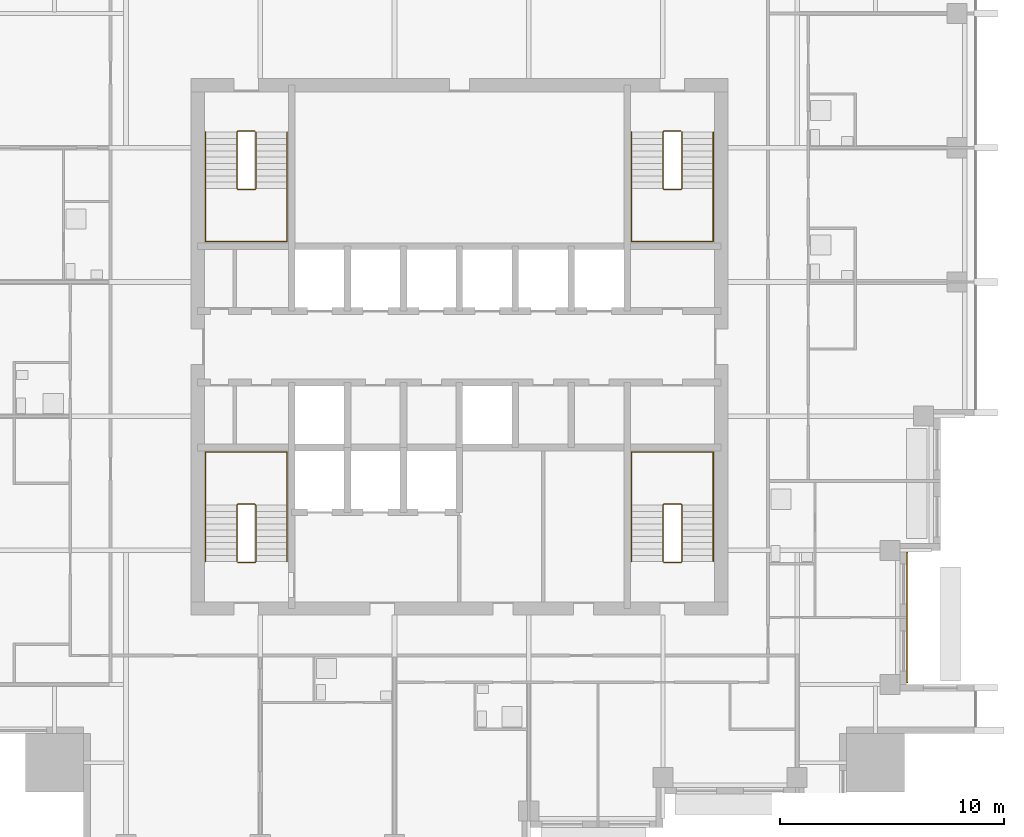
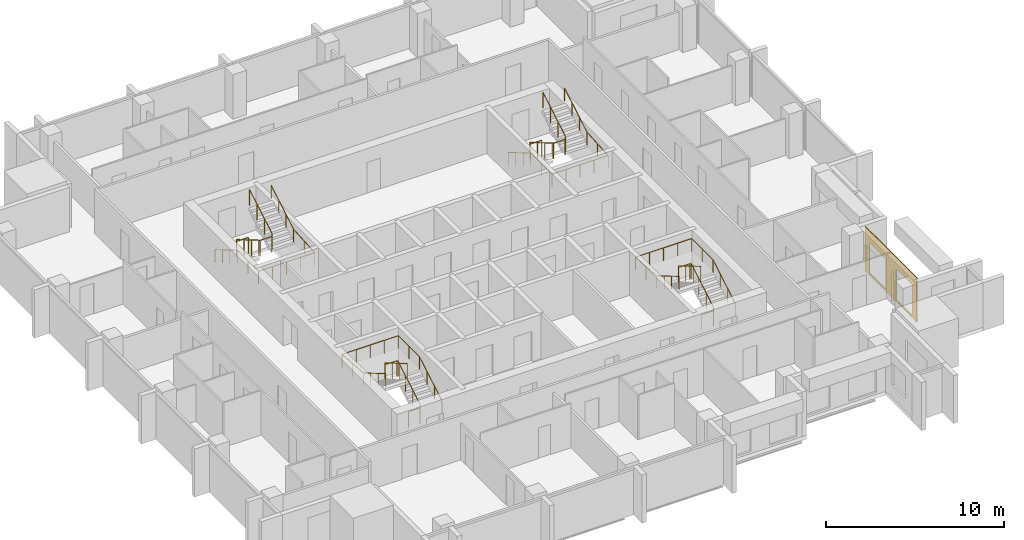
# One storey, part 9 of 10: 8 railings, 1 covering.
"""IFC4 building model written with IfcOpenShell, lengths in metres."""

from ifc_helpers import new_model, si_unit, direction, frame, origin, origin_2d, place, context, subcontext, project, spatial, polyline, circle, outline, extrude, material, layer, layer_set, type_object, element, save


model = new_model("IFC4")

# Units and contexts
model_context = context("Model", 3, precision=1e-05, world=origin(), true_north=direction((0.0, 1.0)))
body_context = subcontext(model_context, "Body", "Model", "MODEL_VIEW")
ifc_project = project(units=[si_unit("LENGTHUNIT", "METRE"), si_unit("AREAUNIT", "SQUARE_METRE"), si_unit("VOLUMEUNIT", "CUBIC_METRE"), si_unit("PLANEANGLEUNIT", "RADIAN"), si_unit("MASSUNIT", "GRAM", prefix="KILO")], contexts=[model_context])

# Site, building, storey
site_placement = place(None, origin())
site = spatial("IfcSite", under=ifc_project, at=site_placement, CompositionType="ELEMENT")
building_placement = place(site_placement, origin())
building = spatial("IfcBuilding", under=site, at=building_placement, Name="Amberfall Residences", CompositionType="ELEMENT")
storey_placement = place(building_placement, frame((0.0, 0.0, 193.60009765625)))
storey = spatial("IfcBuildingStorey", under=building, at=storey_placement, Name="L51", CompositionType="ELEMENT", Elevation=193.60009765625)

# Covering
ifc_material_1 = material(Name="Pale limestone cladding", Category="masonry")
ifc_layer = layer(ifc_material_1, 0.050048828125)
ifc_layer_set = layer_set([ifc_layer], Name="Limestone fascia 50")
covering_type = type_object("IfcCoveringType", Name="Limestone fascia 50", PredefinedType="CLADDING", material=ifc_layer_set)
covering_placement = place(storey_placement, frame((94.5, 30.489990234375, 3.0498046875), z_axis=(-1.0, 0.0, 0.0), x_axis=(0.0, 1.0, 0.0)))
element("IfcCovering", 1, at=covering_placement, inside=storey, type_object=covering_type, Name="Pale limestone cladding L51 E", PredefinedType="CLADDING", context=body_context, shape_type="SweptSolid", body=[
    extrude(outline(polyline([(0.0, 0.0), (5.820068359375, 0.0), (5.820068359375, 3.0498046875), (0.0, 3.0498046875), (0.0, 0.0)]), holes=[polyline([(0.510009765625, 0.7998046875), (2.31005859375, 0.7998046875), (2.31005859375, 2.89990234375), (0.510009765625, 2.89990234375), (0.510009765625, 0.7998046875)]), polyline([(3.510009765625, 0.7998046875), (5.31005859375, 0.7998046875), (5.31005859375, 2.89990234375), (3.510009765625, 2.89990234375), (3.510009765625, 0.7998046875)])]), origin(), (0.0, 0.0, -1.0), 0.050048828125),
])

# Railings
ifc_material_2 = material(Name="Stainless steel 316", Category="steel")
railing_type_1 = type_object("IfcRailingType", Name="Stair guard 1100", PredefinedType="GUARDRAIL", material=ifc_material_2)
railing_1_placement = place(storey_placement, frame((64.60009765625, 35.85009765625, 0.0)))
element("IfcRailing", 2, at=railing_1_placement, inside=storey, type_object=railing_type_1, Name="L51 stair 1 guard", PredefinedType="GUARDRAIL", context=body_context, shape_type="SweptSolid", body=[
    extrude(circle(Radius=0.02392578125, at=origin_2d()), frame((0.0, 0.0, 1.076171875), z_axis=(1.0, 0.0, 0.0), x_axis=(0.0, 1.0, 0.0)), (0.0, 0.0, 1.0), 0.75),
    extrude(circle(Radius=0.02392578125, at=origin_2d()), frame((0.75, 0.0, 1.076171875), z_axis=(0.277903107438, 0.277903107438, 0.919532340787), x_axis=(-0.707106781187, 0.707106781187, 0.0)), (0.0, 0.0, 1.0), 0.17919921875),
    extrude(circle(Radius=0.02392578125, at=origin_2d()), frame((0.7998046875, 0.0498046875, 1.24072265625), z_axis=(0.0, 0.86152411907, 0.507716645641), x_axis=(-1.0, 0.0, 0.0)), (0.0, 0.0, 1.0), 2.925048828125),
    extrude(circle(Radius=0.02392578125, at=origin_2d()), frame((0.7998046875, 2.56982421875, 2.72607421875), z_axis=(-0.705375805398, 0.708833529934, 0.0), x_axis=(-0.708833529934, -0.705375805398, 0.0)), (0.0, 0.0, 1.0), 0.070556640625),
    extrude(circle(Radius=0.02392578125, at=origin_2d()), frame((0.75, 2.619873046875, 2.72607421875), z_axis=(-1.0, 0.0, 0.0), x_axis=(0.0, -1.0, 0.0)), (0.0, 0.0, 1.0), 0.75),
    extrude(circle(Radius=0.02392578125, at=origin_2d()), frame((0.0, 2.619873046875, 2.72607421875), z_axis=(-0.278705021027, -0.278705021027, 0.919046801044), x_axis=(0.707106781187, -0.707106781187, 0.0)), (0.0, 0.0, 1.0), 0.1796875),
    extrude(circle(Radius=0.02392578125, at=origin_2d()), frame((-0.050048828125, 2.56982421875, 2.89111328125), z_axis=(0.0, -0.861560626758, 0.507654692109), x_axis=(1.0, 0.0, 0.0)), (0.0, 0.0, 1.0), 2.925048828125),
    extrude(circle(Radius=0.02099609375, at=origin_2d()), origin(), (0.0, 0.0, 1.0), 1.052001953125),
    extrude(circle(Radius=0.02099609375, at=origin_2d()), frame((0.75, 0.0, 0.0)), (0.0, 0.0, 1.0), 1.052001953125),
    extrude(circle(Radius=0.02099609375, at=origin_2d()), frame((0.7998046875, 0.0498046875, 0.164794921875)), (0.0, 0.0, 1.0), 1.052001953125),
    extrude(circle(Radius=0.02099609375, at=origin_2d()), frame((0.7998046875, 0.889892578125, 0.659912109375)), (0.0, 0.0, 1.0), 1.052001953125),
    extrude(circle(Radius=0.02099609375, at=origin_2d()), frame((0.7998046875, 1.729736328125, 1.15478515625)), (0.0, 0.0, 1.0), 1.052001953125),
    extrude(circle(Radius=0.02099609375, at=origin_2d()), frame((0.7998046875, 2.56982421875, 1.64990234375)), (0.0, 0.0, 1.0), 1.052001953125),
    extrude(circle(Radius=0.02099609375, at=origin_2d()), frame((0.75, 2.619873046875, 1.64990234375)), (0.0, 0.0, 1.0), 1.052001953125),
    extrude(circle(Radius=0.02099609375, at=origin_2d()), frame((0.0, 2.619873046875, 1.64990234375)), (0.0, 0.0, 1.0), 1.052001953125),
    extrude(circle(Radius=0.02099609375, at=origin_2d()), frame((-0.050048828125, 2.56982421875, 1.81494140625)), (0.0, 0.0, 1.0), 1.052001953125),
    extrude(circle(Radius=0.02099609375, at=origin_2d()), frame((-0.050048828125, 1.729736328125, 2.309814453125)), (0.0, 0.0, 1.0), 1.052001953125),
    extrude(circle(Radius=0.02099609375, at=origin_2d()), frame((-0.050048828125, 0.889892578125, 2.804931640625)), (0.0, 0.0, 1.0), 1.052001953125),
    extrude(circle(Radius=0.02099609375, at=origin_2d()), frame((-0.050048828125, 0.0498046875, 3.2998046875)), (0.0, 0.0, 1.0), 1.052001953125),
])
railing_2_placement = place(storey_placement, frame((83.64990234375, 35.85009765625, 0.0)))
element("IfcRailing", 3, at=railing_2_placement, inside=storey, type_object=railing_type_1, Name="L51 stair 2 guard", PredefinedType="GUARDRAIL", context=body_context, shape_type="SweptSolid", body=[
    extrude(circle(Radius=0.02392578125, at=origin_2d()), frame((0.0, 0.0, 1.076171875), z_axis=(1.0, 0.0, 0.0), x_axis=(0.0, 1.0, 0.0)), (0.0, 0.0, 1.0), 0.75),
    extrude(circle(Radius=0.02392578125, at=origin_2d()), frame((0.75, 0.0, 1.076171875), z_axis=(0.279159454702, 0.277797701265, 0.919183570361), x_axis=(-0.705375805398, 0.708833529934, 0.0)), (0.0, 0.0, 1.0), 0.17919921875),
    extrude(circle(Radius=0.02392578125, at=origin_2d()), frame((0.800048828125, 0.0498046875, 1.24072265625), z_axis=(0.0, 0.86152411907, 0.507716645641), x_axis=(-1.0, 0.0, 0.0)), (0.0, 0.0, 1.0), 2.925048828125),
    extrude(circle(Radius=0.02392578125, at=origin_2d()), frame((0.800048828125, 2.56982421875, 2.72607421875), z_axis=(-0.707106781187, 0.707106781187, 0.0), x_axis=(-0.707106781187, -0.707106781187, 0.0)), (0.0, 0.0, 1.0), 0.07080078125),
    extrude(circle(Radius=0.02392578125, at=origin_2d()), frame((0.75, 2.619873046875, 2.72607421875), z_axis=(-1.0, 0.0, 0.0), x_axis=(0.0, -1.0, 0.0)), (0.0, 0.0, 1.0), 0.75),
    extrude(circle(Radius=0.02392578125, at=origin_2d()), frame((0.0, 2.619873046875, 2.72607421875), z_axis=(-0.277450376394, -0.278810427259, 0.919394384522), x_axis=(0.708833529934, -0.705375805398, 0.0)), (0.0, 0.0, 1.0), 0.179443359375),
    extrude(circle(Radius=0.02392578125, at=origin_2d()), frame((-0.0498046875, 2.56982421875, 2.89111328125), z_axis=(0.0, -0.861560626758, 0.507654692109), x_axis=(1.0, 0.0, 0.0)), (0.0, 0.0, 1.0), 2.925048828125),
    extrude(circle(Radius=0.02099609375, at=origin_2d()), origin(), (0.0, 0.0, 1.0), 1.052001953125),
    extrude(circle(Radius=0.02099609375, at=origin_2d()), frame((0.75, 0.0, 0.0)), (0.0, 0.0, 1.0), 1.052001953125),
    extrude(circle(Radius=0.02099609375, at=origin_2d()), frame((0.800048828125, 0.0498046875, 0.164794921875)), (0.0, 0.0, 1.0), 1.052001953125),
    extrude(circle(Radius=0.02099609375, at=origin_2d()), frame((0.800048828125, 0.889892578125, 0.659912109375)), (0.0, 0.0, 1.0), 1.052001953125),
    extrude(circle(Radius=0.02099609375, at=origin_2d()), frame((0.800048828125, 1.729736328125, 1.15478515625)), (0.0, 0.0, 1.0), 1.052001953125),
    extrude(circle(Radius=0.02099609375, at=origin_2d()), frame((0.800048828125, 2.56982421875, 1.64990234375)), (0.0, 0.0, 1.0), 1.052001953125),
    extrude(circle(Radius=0.02099609375, at=origin_2d()), frame((0.75, 2.619873046875, 1.64990234375)), (0.0, 0.0, 1.0), 1.052001953125),
    extrude(circle(Radius=0.02099609375, at=origin_2d()), frame((0.0, 2.619873046875, 1.64990234375)), (0.0, 0.0, 1.0), 1.052001953125),
    extrude(circle(Radius=0.02099609375, at=origin_2d()), frame((-0.0498046875, 2.56982421875, 1.81494140625)), (0.0, 0.0, 1.0), 1.052001953125),
    extrude(circle(Radius=0.02099609375, at=origin_2d()), frame((-0.0498046875, 1.729736328125, 2.309814453125)), (0.0, 0.0, 1.0), 1.052001953125),
    extrude(circle(Radius=0.02099609375, at=origin_2d()), frame((-0.0498046875, 0.889892578125, 2.804931640625)), (0.0, 0.0, 1.0), 1.052001953125),
    extrude(circle(Radius=0.02099609375, at=origin_2d()), frame((-0.0498046875, 0.0498046875, 3.2998046875)), (0.0, 0.0, 1.0), 1.052001953125),
])
railing_3_placement = place(storey_placement, frame((84.39990234375, 55.14990234375, 0.0)))
element("IfcRailing", 4, at=railing_3_placement, inside=storey, type_object=railing_type_1, Name="L51 stair 3 guard", PredefinedType="GUARDRAIL", context=body_context, shape_type="SweptSolid", body=[
    extrude(circle(Radius=0.02392578125, at=origin_2d()), frame((0.0, 0.0, 1.076171875), z_axis=(-1.0, 0.0, 0.0), x_axis=(0.0, -1.0, 0.0)), (0.0, 0.0, 1.0), 0.75),
    extrude(circle(Radius=0.02392578125, at=origin_2d()), frame((-0.75, 0.0, 1.076171875), z_axis=(-0.277903107438, -0.277903107438, 0.919532340787), x_axis=(0.707106781187, -0.707106781187, 0.0)), (0.0, 0.0, 1.0), 0.17919921875),
    extrude(circle(Radius=0.02392578125, at=origin_2d()), frame((-0.7998046875, -0.0498046875, 1.24072265625), z_axis=(0.0, -0.86152411907, 0.507716645641), x_axis=(1.0, 0.0, 0.0)), (0.0, 0.0, 1.0), 2.925048828125),
    extrude(circle(Radius=0.02392578125, at=origin_2d()), frame((-0.7998046875, -2.56982421875, 2.72607421875), z_axis=(0.705375805398, -0.708833529934, 0.0), x_axis=(0.708833529934, 0.705375805398, 0.0)), (0.0, 0.0, 1.0), 0.070556640625),
    extrude(circle(Radius=0.02392578125, at=origin_2d()), frame((-0.75, -2.619873046875, 2.72607421875), z_axis=(1.0, 0.0, 0.0), x_axis=(0.0, 1.0, 0.0)), (0.0, 0.0, 1.0), 0.75),
    extrude(circle(Radius=0.02392578125, at=origin_2d()), frame((0.0, -2.619873046875, 2.72607421875), z_axis=(0.278705021027, 0.278705021027, 0.919046801044), x_axis=(-0.707106781187, 0.707106781187, 0.0)), (0.0, 0.0, 1.0), 0.1796875),
    extrude(circle(Radius=0.02392578125, at=origin_2d()), frame((0.050048828125, -2.56982421875, 2.89111328125), z_axis=(0.0, 0.861560626758, 0.507654692109), x_axis=(-1.0, 0.0, 0.0)), (0.0, 0.0, 1.0), 2.925048828125),
    extrude(circle(Radius=0.02099609375, at=origin_2d()), origin(), (0.0, 0.0, 1.0), 1.052001953125),
    extrude(circle(Radius=0.02099609375, at=origin_2d()), frame((-0.75, 0.0, 0.0)), (0.0, 0.0, 1.0), 1.052001953125),
    extrude(circle(Radius=0.02099609375, at=origin_2d()), frame((-0.7998046875, -0.0498046875, 0.164794921875)), (0.0, 0.0, 1.0), 1.052001953125),
    extrude(circle(Radius=0.02099609375, at=origin_2d()), frame((-0.7998046875, -0.889892578125, 0.659912109375)), (0.0, 0.0, 1.0), 1.052001953125),
    extrude(circle(Radius=0.02099609375, at=origin_2d()), frame((-0.7998046875, -1.729736328125, 1.15478515625)), (0.0, 0.0, 1.0), 1.052001953125),
    extrude(circle(Radius=0.02099609375, at=origin_2d()), frame((-0.7998046875, -2.56982421875, 1.64990234375)), (0.0, 0.0, 1.0), 1.052001953125),
    extrude(circle(Radius=0.02099609375, at=origin_2d()), frame((-0.75, -2.619873046875, 1.64990234375)), (0.0, 0.0, 1.0), 1.052001953125),
    extrude(circle(Radius=0.02099609375, at=origin_2d()), frame((0.0, -2.619873046875, 1.64990234375)), (0.0, 0.0, 1.0), 1.052001953125),
    extrude(circle(Radius=0.02099609375, at=origin_2d()), frame((0.050048828125, -2.56982421875, 1.81494140625)), (0.0, 0.0, 1.0), 1.052001953125),
    extrude(circle(Radius=0.02099609375, at=origin_2d()), frame((0.050048828125, -1.729736328125, 2.309814453125)), (0.0, 0.0, 1.0), 1.052001953125),
    extrude(circle(Radius=0.02099609375, at=origin_2d()), frame((0.050048828125, -0.889892578125, 2.804931640625)), (0.0, 0.0, 1.0), 1.052001953125),
    extrude(circle(Radius=0.02099609375, at=origin_2d()), frame((0.050048828125, -0.0498046875, 3.2998046875)), (0.0, 0.0, 1.0), 1.052001953125),
])
railing_4_placement = place(storey_placement, frame((65.35009765625, 55.14990234375, 0.0)))
element("IfcRailing", 5, at=railing_4_placement, inside=storey, type_object=railing_type_1, Name="L51 stair 4 guard", PredefinedType="GUARDRAIL", context=body_context, shape_type="SweptSolid", body=[
    extrude(circle(Radius=0.02392578125, at=origin_2d()), frame((0.0, 0.0, 1.076171875), z_axis=(-1.0, 0.0, 0.0), x_axis=(0.0, -1.0, 0.0)), (0.0, 0.0, 1.0), 0.75),
    extrude(circle(Radius=0.02392578125, at=origin_2d()), frame((-0.75, 0.0, 1.076171875), z_axis=(-0.279159454702, -0.277797701265, 0.919183570361), x_axis=(0.705375805398, -0.708833529934, 0.0)), (0.0, 0.0, 1.0), 0.17919921875),
    extrude(circle(Radius=0.02392578125, at=origin_2d()), frame((-0.800048828125, -0.0498046875, 1.24072265625), z_axis=(0.0, -0.86152411907, 0.507716645641), x_axis=(1.0, 0.0, 0.0)), (0.0, 0.0, 1.0), 2.925048828125),
    extrude(circle(Radius=0.02392578125, at=origin_2d()), frame((-0.800048828125, -2.56982421875, 2.72607421875), z_axis=(0.707106781187, -0.707106781187, 0.0), x_axis=(0.707106781187, 0.707106781187, 0.0)), (0.0, 0.0, 1.0), 0.07080078125),
    extrude(circle(Radius=0.02392578125, at=origin_2d()), frame((-0.75, -2.619873046875, 2.72607421875), z_axis=(1.0, 0.0, 0.0), x_axis=(0.0, 1.0, 0.0)), (0.0, 0.0, 1.0), 0.75),
    extrude(circle(Radius=0.02392578125, at=origin_2d()), frame((0.0, -2.619873046875, 2.72607421875), z_axis=(0.277450376394, 0.278810427259, 0.919394384522), x_axis=(-0.708833529934, 0.705375805398, 0.0)), (0.0, 0.0, 1.0), 0.179443359375),
    extrude(circle(Radius=0.02392578125, at=origin_2d()), frame((0.0498046875, -2.56982421875, 2.89111328125), z_axis=(0.0, 0.861560626758, 0.507654692109), x_axis=(-1.0, 0.0, 0.0)), (0.0, 0.0, 1.0), 2.925048828125),
    extrude(circle(Radius=0.02099609375, at=origin_2d()), origin(), (0.0, 0.0, 1.0), 1.052001953125),
    extrude(circle(Radius=0.02099609375, at=origin_2d()), frame((-0.75, 0.0, 0.0)), (0.0, 0.0, 1.0), 1.052001953125),
    extrude(circle(Radius=0.02099609375, at=origin_2d()), frame((-0.800048828125, -0.0498046875, 0.164794921875)), (0.0, 0.0, 1.0), 1.052001953125),
    extrude(circle(Radius=0.02099609375, at=origin_2d()), frame((-0.800048828125, -0.889892578125, 0.659912109375)), (0.0, 0.0, 1.0), 1.052001953125),
    extrude(circle(Radius=0.02099609375, at=origin_2d()), frame((-0.800048828125, -1.729736328125, 1.15478515625)), (0.0, 0.0, 1.0), 1.052001953125),
    extrude(circle(Radius=0.02099609375, at=origin_2d()), frame((-0.800048828125, -2.56982421875, 1.64990234375)), (0.0, 0.0, 1.0), 1.052001953125),
    extrude(circle(Radius=0.02099609375, at=origin_2d()), frame((-0.75, -2.619873046875, 1.64990234375)), (0.0, 0.0, 1.0), 1.052001953125),
    extrude(circle(Radius=0.02099609375, at=origin_2d()), frame((0.0, -2.619873046875, 1.64990234375)), (0.0, 0.0, 1.0), 1.052001953125),
    extrude(circle(Radius=0.02099609375, at=origin_2d()), frame((0.0498046875, -2.56982421875, 1.81494140625)), (0.0, 0.0, 1.0), 1.052001953125),
    extrude(circle(Radius=0.02099609375, at=origin_2d()), frame((0.0498046875, -1.729736328125, 2.309814453125)), (0.0, 0.0, 1.0), 1.052001953125),
    extrude(circle(Radius=0.02099609375, at=origin_2d()), frame((0.0498046875, -0.889892578125, 2.804931640625)), (0.0, 0.0, 1.0), 1.052001953125),
    extrude(circle(Radius=0.02099609375, at=origin_2d()), frame((0.0498046875, -0.0498046875, 3.2998046875)), (0.0, 0.0, 1.0), 1.052001953125),
])
railing_type_2 = type_object("IfcRailingType", Name="Stair handrail 900", PredefinedType="HANDRAIL", material=ifc_material_2)
railing_5_placement = place(storey_placement, frame((66.800048828125, 35.89990234375, 0.164794921875)))
element("IfcRailing", 6, at=railing_5_placement, inside=storey, type_object=railing_type_2, Name="L51 stair 1 handrail", PredefinedType="HANDRAIL", context=body_context, shape_type="SweptSolid", body=[
    extrude(circle(Radius=0.02392578125, at=origin_2d()), frame((0.0, 0.0, 0.8759765625), z_axis=(0.0, 0.86152411907, 0.507716645641), x_axis=(-1.0, 0.0, 0.0)), (0.0, 0.0, 1.0), 2.925048828125),
    extrude(circle(Radius=0.02392578125, at=origin_2d()), frame((0.0, 2.52001953125, 2.36083984375), z_axis=(0.0, 1.0, 0.0), x_axis=(-1.0, 0.0, 0.0)), (0.0, 0.0, 1.0), 2.380126953125),
    extrude(circle(Radius=0.02392578125, at=origin_2d()), frame((0.0, 4.900146484375, 2.36083984375), z_axis=(-1.0, 0.0, 0.0), x_axis=(0.0, -1.0, 0.0)), (0.0, 0.0, 1.0), 3.650146484375),
    extrude(circle(Radius=0.02392578125, at=origin_2d()), frame((-3.650146484375, 4.900146484375, 2.36083984375), z_axis=(0.0, -0.997604585917, 0.069174346095), x_axis=(1.0, 0.0, 0.0)), (0.0, 0.0, 1.0), 2.3857421875),
    extrude(circle(Radius=0.02392578125, at=origin_2d()), frame((-3.650146484375, 2.52001953125, 2.52587890625), z_axis=(0.0, -0.861560626758, 0.507654692109), x_axis=(1.0, 0.0, 0.0)), (0.0, 0.0, 1.0), 2.925048828125),
    extrude(circle(Radius=0.02099609375, at=origin_2d()), origin(), (0.0, 0.0, 1.0), 0.851806640625),
    extrude(circle(Radius=0.02099609375, at=origin_2d()), frame((0.0, 0.840087890625, 0.4951171875)), (0.0, 0.0, 1.0), 0.851806640625),
    extrude(circle(Radius=0.02099609375, at=origin_2d()), frame((0.0, 1.679931640625, 0.989990234375)), (0.0, 0.0, 1.0), 0.851806640625),
    extrude(circle(Radius=0.02099609375, at=origin_2d()), frame((0.0, 2.52001953125, 1.485107421875)), (0.0, 0.0, 1.0), 0.851806640625),
    extrude(circle(Radius=0.02099609375, at=origin_2d()), frame((0.0, 3.7099609375, 1.485107421875)), (0.0, 0.0, 1.0), 0.851806640625),
    extrude(circle(Radius=0.02099609375, at=origin_2d()), frame((0.0, 4.900146484375, 1.485107421875)), (0.0, 0.0, 1.0), 0.851806640625),
    extrude(circle(Radius=0.02099609375, at=origin_2d()), frame((-0.91259765625, 4.900146484375, 1.485107421875)), (0.0, 0.0, 1.0), 0.851806640625),
    extrude(circle(Radius=0.02099609375, at=origin_2d()), frame((-1.8251953125, 4.900146484375, 1.485107421875)), (0.0, 0.0, 1.0), 0.851806640625),
    extrude(circle(Radius=0.02099609375, at=origin_2d()), frame((-2.737548828125, 4.900146484375, 1.485107421875)), (0.0, 0.0, 1.0), 0.851806640625),
    extrude(circle(Radius=0.02099609375, at=origin_2d()), frame((-3.650146484375, 4.900146484375, 1.485107421875)), (0.0, 0.0, 1.0), 0.851806640625),
    extrude(circle(Radius=0.02099609375, at=origin_2d()), frame((-3.650146484375, 3.7099609375, 1.567626953125)), (0.0, 0.0, 1.0), 0.851806640625),
    extrude(circle(Radius=0.02099609375, at=origin_2d()), frame((-3.650146484375, 2.52001953125, 1.650146484375)), (0.0, 0.0, 1.0), 0.851806640625),
    extrude(circle(Radius=0.02099609375, at=origin_2d()), frame((-3.650146484375, 1.679931640625, 2.14501953125)), (0.0, 0.0, 1.0), 0.851806640625),
    extrude(circle(Radius=0.02099609375, at=origin_2d()), frame((-3.650146484375, 0.840087890625, 2.64013671875)), (0.0, 0.0, 1.0), 0.851806640625),
    extrude(circle(Radius=0.02099609375, at=origin_2d()), frame((-3.650146484375, 0.0, 3.135009765625)), (0.0, 0.0, 1.0), 0.851806640625),
])
railing_6_placement = place(storey_placement, frame((85.85009765625, 35.89990234375, 0.164794921875)))
element("IfcRailing", 7, at=railing_6_placement, inside=storey, type_object=railing_type_2, Name="L51 stair 2 handrail", PredefinedType="HANDRAIL", context=body_context, shape_type="SweptSolid", body=[
    extrude(circle(Radius=0.02392578125, at=origin_2d()), frame((0.0, 0.0, 0.8759765625), z_axis=(0.0, 0.86152411907, 0.507716645641), x_axis=(-1.0, 0.0, 0.0)), (0.0, 0.0, 1.0), 2.925048828125),
    extrude(circle(Radius=0.02392578125, at=origin_2d()), frame((0.0, 2.52001953125, 2.36083984375), z_axis=(0.0, 1.0, 0.0), x_axis=(-1.0, 0.0, 0.0)), (0.0, 0.0, 1.0), 2.380126953125),
    extrude(circle(Radius=0.02392578125, at=origin_2d()), frame((0.0, 4.900146484375, 2.36083984375), z_axis=(-1.0, 0.0, 0.0), x_axis=(0.0, -1.0, 0.0)), (0.0, 0.0, 1.0), 3.650146484375),
    extrude(circle(Radius=0.02392578125, at=origin_2d()), frame((-3.650146484375, 4.900146484375, 2.36083984375), z_axis=(0.0, -0.997604585917, 0.069174346095), x_axis=(1.0, 0.0, 0.0)), (0.0, 0.0, 1.0), 2.3857421875),
    extrude(circle(Radius=0.02392578125, at=origin_2d()), frame((-3.650146484375, 2.52001953125, 2.52587890625), z_axis=(0.0, -0.861560626758, 0.507654692109), x_axis=(1.0, 0.0, 0.0)), (0.0, 0.0, 1.0), 2.925048828125),
    extrude(circle(Radius=0.02099609375, at=origin_2d()), origin(), (0.0, 0.0, 1.0), 0.851806640625),
    extrude(circle(Radius=0.02099609375, at=origin_2d()), frame((0.0, 0.840087890625, 0.4951171875)), (0.0, 0.0, 1.0), 0.851806640625),
    extrude(circle(Radius=0.02099609375, at=origin_2d()), frame((0.0, 1.679931640625, 0.989990234375)), (0.0, 0.0, 1.0), 0.851806640625),
    extrude(circle(Radius=0.02099609375, at=origin_2d()), frame((0.0, 2.52001953125, 1.485107421875)), (0.0, 0.0, 1.0), 0.851806640625),
    extrude(circle(Radius=0.02099609375, at=origin_2d()), frame((0.0, 3.7099609375, 1.485107421875)), (0.0, 0.0, 1.0), 0.851806640625),
    extrude(circle(Radius=0.02099609375, at=origin_2d()), frame((0.0, 4.900146484375, 1.485107421875)), (0.0, 0.0, 1.0), 0.851806640625),
    extrude(circle(Radius=0.02099609375, at=origin_2d()), frame((-0.91259765625, 4.900146484375, 1.485107421875)), (0.0, 0.0, 1.0), 0.851806640625),
    extrude(circle(Radius=0.02099609375, at=origin_2d()), frame((-1.8251953125, 4.900146484375, 1.485107421875)), (0.0, 0.0, 1.0), 0.851806640625),
    extrude(circle(Radius=0.02099609375, at=origin_2d()), frame((-2.737548828125, 4.900146484375, 1.485107421875)), (0.0, 0.0, 1.0), 0.851806640625),
    extrude(circle(Radius=0.02099609375, at=origin_2d()), frame((-3.650146484375, 4.900146484375, 1.485107421875)), (0.0, 0.0, 1.0), 0.851806640625),
    extrude(circle(Radius=0.02099609375, at=origin_2d()), frame((-3.650146484375, 3.7099609375, 1.567626953125)), (0.0, 0.0, 1.0), 0.851806640625),
    extrude(circle(Radius=0.02099609375, at=origin_2d()), frame((-3.650146484375, 2.52001953125, 1.650146484375)), (0.0, 0.0, 1.0), 0.851806640625),
    extrude(circle(Radius=0.02099609375, at=origin_2d()), frame((-3.650146484375, 1.679931640625, 2.14501953125)), (0.0, 0.0, 1.0), 0.851806640625),
    extrude(circle(Radius=0.02099609375, at=origin_2d()), frame((-3.650146484375, 0.840087890625, 2.64013671875)), (0.0, 0.0, 1.0), 0.851806640625),
    extrude(circle(Radius=0.02099609375, at=origin_2d()), frame((-3.650146484375, 0.0, 3.135009765625)), (0.0, 0.0, 1.0), 0.851806640625),
])
railing_7_placement = place(storey_placement, frame((82.199951171875, 55.10009765625, 0.164794921875)))
element("IfcRailing", 8, at=railing_7_placement, inside=storey, type_object=railing_type_2, Name="L51 stair 3 handrail", PredefinedType="HANDRAIL", context=body_context, shape_type="SweptSolid", body=[
    extrude(circle(Radius=0.02392578125, at=origin_2d()), frame((0.0, 0.0, 0.8759765625), z_axis=(0.0, -0.86152411907, 0.507716645641), x_axis=(1.0, 0.0, 0.0)), (0.0, 0.0, 1.0), 2.925048828125),
    extrude(circle(Radius=0.02392578125, at=origin_2d()), frame((0.0, -2.52001953125, 2.36083984375), z_axis=(0.0, -1.0, 0.0), x_axis=(1.0, 0.0, 0.0)), (0.0, 0.0, 1.0), 2.380126953125),
    extrude(circle(Radius=0.02392578125, at=origin_2d()), frame((0.0, -4.900146484375, 2.36083984375), z_axis=(1.0, 0.0, 0.0), x_axis=(0.0, 1.0, 0.0)), (0.0, 0.0, 1.0), 3.650146484375),
    extrude(circle(Radius=0.02392578125, at=origin_2d()), frame((3.650146484375, -4.900146484375, 2.36083984375), z_axis=(0.0, 0.997604585917, 0.069174346095), x_axis=(-1.0, 0.0, 0.0)), (0.0, 0.0, 1.0), 2.3857421875),
    extrude(circle(Radius=0.02392578125, at=origin_2d()), frame((3.650146484375, -2.52001953125, 2.52587890625), z_axis=(0.0, 0.861560626758, 0.507654692109), x_axis=(-1.0, 0.0, 0.0)), (0.0, 0.0, 1.0), 2.925048828125),
    extrude(circle(Radius=0.02099609375, at=origin_2d()), origin(), (0.0, 0.0, 1.0), 0.851806640625),
    extrude(circle(Radius=0.02099609375, at=origin_2d()), frame((0.0, -0.840087890625, 0.4951171875)), (0.0, 0.0, 1.0), 0.851806640625),
    extrude(circle(Radius=0.02099609375, at=origin_2d()), frame((0.0, -1.679931640625, 0.989990234375)), (0.0, 0.0, 1.0), 0.851806640625),
    extrude(circle(Radius=0.02099609375, at=origin_2d()), frame((0.0, -2.52001953125, 1.485107421875)), (0.0, 0.0, 1.0), 0.851806640625),
    extrude(circle(Radius=0.02099609375, at=origin_2d()), frame((0.0, -3.7099609375, 1.485107421875)), (0.0, 0.0, 1.0), 0.851806640625),
    extrude(circle(Radius=0.02099609375, at=origin_2d()), frame((0.0, -4.900146484375, 1.485107421875)), (0.0, 0.0, 1.0), 0.851806640625),
    extrude(circle(Radius=0.02099609375, at=origin_2d()), frame((0.91259765625, -4.900146484375, 1.485107421875)), (0.0, 0.0, 1.0), 0.851806640625),
    extrude(circle(Radius=0.02099609375, at=origin_2d()), frame((1.8251953125, -4.900146484375, 1.485107421875)), (0.0, 0.0, 1.0), 0.851806640625),
    extrude(circle(Radius=0.02099609375, at=origin_2d()), frame((2.737548828125, -4.900146484375, 1.485107421875)), (0.0, 0.0, 1.0), 0.851806640625),
    extrude(circle(Radius=0.02099609375, at=origin_2d()), frame((3.650146484375, -4.900146484375, 1.485107421875)), (0.0, 0.0, 1.0), 0.851806640625),
    extrude(circle(Radius=0.02099609375, at=origin_2d()), frame((3.650146484375, -3.7099609375, 1.567626953125)), (0.0, 0.0, 1.0), 0.851806640625),
    extrude(circle(Radius=0.02099609375, at=origin_2d()), frame((3.650146484375, -2.52001953125, 1.650146484375)), (0.0, 0.0, 1.0), 0.851806640625),
    extrude(circle(Radius=0.02099609375, at=origin_2d()), frame((3.650146484375, -1.679931640625, 2.14501953125)), (0.0, 0.0, 1.0), 0.851806640625),
    extrude(circle(Radius=0.02099609375, at=origin_2d()), frame((3.650146484375, -0.840087890625, 2.64013671875)), (0.0, 0.0, 1.0), 0.851806640625),
    extrude(circle(Radius=0.02099609375, at=origin_2d()), frame((3.650146484375, 0.0, 3.135009765625)), (0.0, 0.0, 1.0), 0.851806640625),
])
railing_8_placement = place(storey_placement, frame((63.14990234375, 55.10009765625, 0.164794921875)))
element("IfcRailing", 9, at=railing_8_placement, inside=storey, type_object=railing_type_2, Name="L51 stair 4 handrail", PredefinedType="HANDRAIL", context=body_context, shape_type="SweptSolid", body=[
    extrude(circle(Radius=0.02392578125, at=origin_2d()), frame((0.0, 0.0, 0.8759765625), z_axis=(0.0, -0.86152411907, 0.507716645641), x_axis=(1.0, 0.0, 0.0)), (0.0, 0.0, 1.0), 2.925048828125),
    extrude(circle(Radius=0.02392578125, at=origin_2d()), frame((0.0, -2.52001953125, 2.36083984375), z_axis=(0.0, -1.0, 0.0), x_axis=(1.0, 0.0, 0.0)), (0.0, 0.0, 1.0), 2.380126953125),
    extrude(circle(Radius=0.02392578125, at=origin_2d()), frame((0.0, -4.900146484375, 2.36083984375), z_axis=(1.0, 0.0, 0.0), x_axis=(0.0, 1.0, 0.0)), (0.0, 0.0, 1.0), 3.650146484375),
    extrude(circle(Radius=0.02392578125, at=origin_2d()), frame((3.650146484375, -4.900146484375, 2.36083984375), z_axis=(0.0, 0.997604585917, 0.069174346095), x_axis=(-1.0, 0.0, 0.0)), (0.0, 0.0, 1.0), 2.3857421875),
    extrude(circle(Radius=0.02392578125, at=origin_2d()), frame((3.650146484375, -2.52001953125, 2.52587890625), z_axis=(0.0, 0.861560626758, 0.507654692109), x_axis=(-1.0, 0.0, 0.0)), (0.0, 0.0, 1.0), 2.925048828125),
    extrude(circle(Radius=0.02099609375, at=origin_2d()), origin(), (0.0, 0.0, 1.0), 0.851806640625),
    extrude(circle(Radius=0.02099609375, at=origin_2d()), frame((0.0, -0.840087890625, 0.4951171875)), (0.0, 0.0, 1.0), 0.851806640625),
    extrude(circle(Radius=0.02099609375, at=origin_2d()), frame((0.0, -1.679931640625, 0.989990234375)), (0.0, 0.0, 1.0), 0.851806640625),
    extrude(circle(Radius=0.02099609375, at=origin_2d()), frame((0.0, -2.52001953125, 1.485107421875)), (0.0, 0.0, 1.0), 0.851806640625),
    extrude(circle(Radius=0.02099609375, at=origin_2d()), frame((0.0, -3.7099609375, 1.485107421875)), (0.0, 0.0, 1.0), 0.851806640625),
    extrude(circle(Radius=0.02099609375, at=origin_2d()), frame((0.0, -4.900146484375, 1.485107421875)), (0.0, 0.0, 1.0), 0.851806640625),
    extrude(circle(Radius=0.02099609375, at=origin_2d()), frame((0.91259765625, -4.900146484375, 1.485107421875)), (0.0, 0.0, 1.0), 0.851806640625),
    extrude(circle(Radius=0.02099609375, at=origin_2d()), frame((1.8251953125, -4.900146484375, 1.485107421875)), (0.0, 0.0, 1.0), 0.851806640625),
    extrude(circle(Radius=0.02099609375, at=origin_2d()), frame((2.737548828125, -4.900146484375, 1.485107421875)), (0.0, 0.0, 1.0), 0.851806640625),
    extrude(circle(Radius=0.02099609375, at=origin_2d()), frame((3.650146484375, -4.900146484375, 1.485107421875)), (0.0, 0.0, 1.0), 0.851806640625),
    extrude(circle(Radius=0.02099609375, at=origin_2d()), frame((3.650146484375, -3.7099609375, 1.567626953125)), (0.0, 0.0, 1.0), 0.851806640625),
    extrude(circle(Radius=0.02099609375, at=origin_2d()), frame((3.650146484375, -2.52001953125, 1.650146484375)), (0.0, 0.0, 1.0), 0.851806640625),
    extrude(circle(Radius=0.02099609375, at=origin_2d()), frame((3.650146484375, -1.679931640625, 2.14501953125)), (0.0, 0.0, 1.0), 0.851806640625),
    extrude(circle(Radius=0.02099609375, at=origin_2d()), frame((3.650146484375, -0.840087890625, 2.64013671875)), (0.0, 0.0, 1.0), 0.851806640625),
    extrude(circle(Radius=0.02099609375, at=origin_2d()), frame((3.650146484375, 0.0, 3.135009765625)), (0.0, 0.0, 1.0), 0.851806640625),
])

save(model, "model.ifc")
